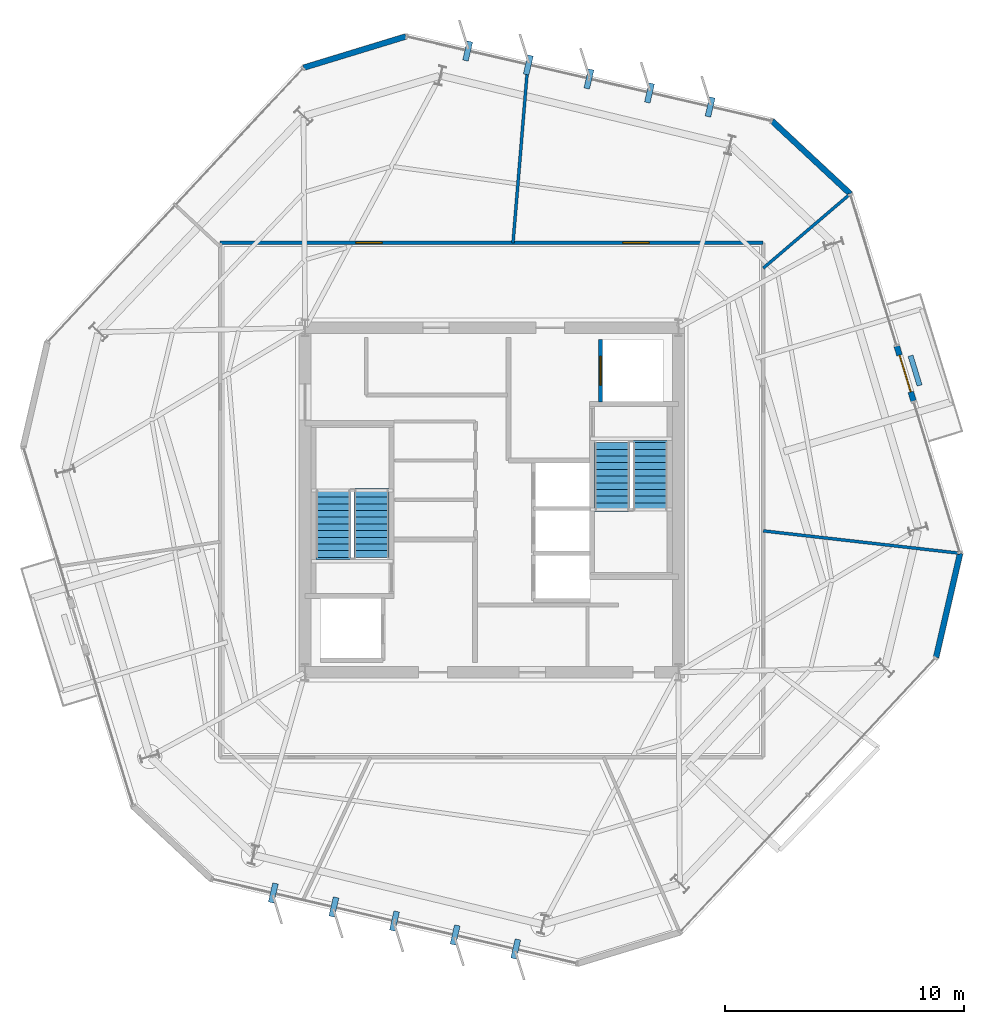
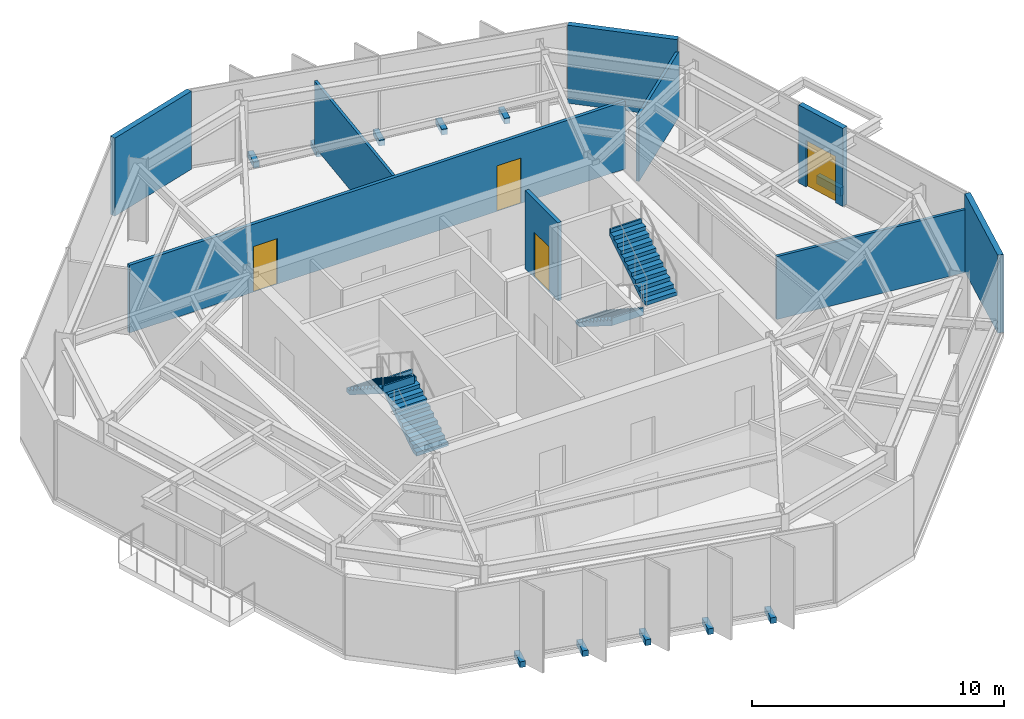
# One storey, part 8 of 11: 10 discrete accessories, 10 walls, 4 doors, 4 stair flights, 4 openings, 2 elements without a shape of their own.
"""IFC4 building model written with IfcOpenShell, lengths in metres."""

import ifcopenshell
import ifcopenshell.guid

model = None  # the IFC model being written
_history = None  # IfcOwnerHistory: only IFC2X3 demands one
_inside = {}  # id of a spatial element -> (the spatial element, [elements in it])
_under = {}  # id of a project, library or spatial element -> (it, [spatial elements below it])
_declared = {}  # id of a project -> (the project, [libraries it declares])
_typed = {}  # id of a type object -> (the type object, [elements of that type])
_made_of = {}  # id of a material, layer set ... -> (it, [elements and type objects made of it])


def new_model(schema):
    """Start an empty IFC model of exactly this schema.

    Asked for "IFC4X3", IfcOpenShell would pick the latest addendum, in which some entities
    have other attributes; the version numbers below select the first issue.
    IFC2X3 requires an IfcOwnerHistory on every rooted entity: one is made here for all.
    """
    global model, _history
    if schema == "IFC4X3":
        model = ifcopenshell.file(schema_version=(4, 3, 0, 0))
    else:
        model = ifcopenshell.file(schema=schema)
    _inside.clear()
    _under.clear()
    _declared.clear()
    _typed.clear()
    _made_of.clear()
    _history = None
    if model.schema == "IFC2X3":
        org = make("IfcOrganization", Name="unknown")
        user = make(
            "IfcPersonAndOrganization",
            ThePerson=make("IfcPerson", FamilyName="unknown"),
            TheOrganization=org,
        )
        app = make(
            "IfcApplication",
            ApplicationDeveloper=org,
            Version="unknown",
            ApplicationFullName="unknown",
            ApplicationIdentifier="unknown",
        )
        _history = make(
            "IfcOwnerHistory",
            OwningUser=user,
            OwningApplication=app,
            ChangeAction="ADDED",
            CreationDate=0,
        )
    return model


def make(cls, **values):
    """One entity of the class cls with the attributes given. An attribute that is None is left unset."""
    return model.create_entity(
        cls, **{name: value for name, value in values.items() if value is not None}
    )


def rooted(cls, **values):
    """An entity with a GlobalId (a new one), such as an element, a storey or a relation."""
    return make(cls, GlobalId=ifcopenshell.guid.new(), OwnerHistory=_history, **values)


def si_unit(unit_type, name, prefix=None):
    """IfcSIUnit, for example si_unit("LENGTHUNIT", "METRE", prefix="MILLI")."""
    return make("IfcSIUnit", UnitType=unit_type, Prefix=prefix, Name=name)


def assignment(units):
    """IfcUnitAssignment: the units of a project."""
    return None if units is None else make("IfcUnitAssignment", Units=units)


def point(xyz):
    """IfcCartesianPoint."""
    return None if xyz is None else make("IfcCartesianPoint", Coordinates=xyz)


def direction(xyz):
    """IfcDirection."""
    return None if xyz is None else make("IfcDirection", DirectionRatios=xyz)


def frame(location, z_axis=None, x_axis=None):
    """IfcAxis2Placement3D, a coordinate frame: its origin and axes. An axis left out is left unset."""
    return make(
        "IfcAxis2Placement3D",
        Location=point(location),
        Axis=direction(z_axis),
        RefDirection=direction(x_axis),
    )


def frame_2d(location, x_axis=None):
    """IfcAxis2Placement2D, a coordinate frame in the plane: its origin and x axis."""
    return make(
        "IfcAxis2Placement2D", Location=point(location), RefDirection=direction(x_axis)
    )


def origin():
    """The frame at (0, 0, 0) with its axes left unset."""
    return frame((0.0, 0.0, 0.0))


def origin_2d():
    """The frame at (0, 0) in the plane with its x axis left unset."""
    return frame_2d((0.0, 0.0))


def place(relative_to, where):
    """IfcLocalPlacement: puts the frame where relative to a parent placement (None: the world)."""
    return make(
        "IfcLocalPlacement", PlacementRelTo=relative_to, RelativePlacement=where
    )


def context(
    kind, dimensions, precision=None, world=None, true_north=None, identifier=None
):
    """IfcGeometricRepresentationContext, for example the 3D "Model" context."""
    return make(
        "IfcGeometricRepresentationContext",
        ContextIdentifier=identifier,
        ContextType=kind,
        CoordinateSpaceDimension=dimensions,
        Precision=precision,
        WorldCoordinateSystem=world,
        TrueNorth=true_north,
    )


def subcontext(parent, identifier, kind, view, scale=None):
    """IfcGeometricRepresentationSubContext, for example "Body" below "Model"."""
    return make(
        "IfcGeometricRepresentationSubContext",
        ContextIdentifier=identifier,
        ContextType=kind,
        ParentContext=parent,
        TargetScale=scale,
        TargetView=view,
    )


def project(units=None, contexts=None):
    """IfcProject with its units and contexts."""
    return rooted(
        "IfcProject",
        Name="project",
        RepresentationContexts=contexts,
        UnitsInContext=assignment(units),
    )


def spatial(cls, under=None, at=None, **own):
    """A site, building, storey or space (cls), placed at a placement, below another one or the project."""
    s = rooted(cls, ObjectPlacement=at, **own)
    if under is not None:
        _under.setdefault(under.id(), (under, []))[1].append(s)
    return s


def polyline(points):
    """IfcPolyline through the points."""
    return make("IfcPolyline", Points=[point(p) for p in points])


def profile(cls, at=None, kind="AREA", **sizes):
    """A parametric profile (cls). Its sizes go by their IFC names, for example OverallWidth=200.0."""
    return make(cls, ProfileType=kind, Position=at, **sizes)


def rectangle(**sizes):
    """IfcRectangleProfileDef."""
    return profile("IfcRectangleProfileDef", **sizes)


def outline(outer, holes=None, kind="AREA"):
    """IfcArbitraryClosedProfileDef: a profile drawn as a closed curve; with holes, ...WithVoids."""
    if holes is None:
        return make("IfcArbitraryClosedProfileDef", ProfileType=kind, OuterCurve=outer)
    return make(
        "IfcArbitraryProfileDefWithVoids",
        ProfileType=kind,
        OuterCurve=outer,
        InnerCurves=holes,
    )


def extrude(swept, where, along, depth):
    """IfcExtrudedAreaSolid: the profile swept, set in the frame where, extruded along a direction by depth."""
    return make(
        "IfcExtrudedAreaSolid",
        SweptArea=swept,
        Position=where,
        ExtrudedDirection=direction(along),
        Depth=depth,
    )


def shape(context_of_items, identifier, shape_type, items):
    """IfcShapeRepresentation: the items that make up one representation, for example the "Body"."""
    return make(
        "IfcShapeRepresentation",
        ContextOfItems=context_of_items,
        RepresentationIdentifier=identifier,
        RepresentationType=shape_type,
        Items=items,
    )


def material(Name=None, Category=None):
    """IfcMaterial."""
    return make("IfcMaterial", Name=Name, Category=Category)


def layer(
    of_material, thickness, ventilated=None, Name=None, Category=None, Priority=None
):
    """IfcMaterialLayer: one layer of a wall or slab, of a material (None: an air gap)."""
    return make(
        "IfcMaterialLayer",
        Material=of_material,
        LayerThickness=thickness,
        IsVentilated=ventilated,
        Name=Name,
        Category=Category,
        Priority=Priority,
    )


def layer_set(layers, Name=None):
    """IfcMaterialLayerSet."""
    return make("IfcMaterialLayerSet", MaterialLayers=layers, LayerSetName=Name)


def made_of(thing, what):
    """Note that an element or type object is made of a material, layer set ...; save() writes the relation."""
    if what is not None:
        _made_of.setdefault(what.id(), (what, []))[1].append(thing)
    return thing


def type_object(cls, material=None, **own):
    """A type object (cls), such as IfcWallType, which elements share."""
    return made_of(rooted(cls, **own), material)


def element(
    cls,
    number,
    at=None,
    inside=None,
    cuts=None,
    type_object=None,
    material=None,
    context=None,
    identifier="Body",
    shape_type=None,
    held_by="IfcProductDefinitionShape",
    body=None,
    shapes=None,
    **own,
):
    """One element of the class cls, such as IfcWall. Its Tag is "e" and its number.

    at: its placement. inside: the storey or other place that contains it. cuts: it is an
    opening in that element (IfcRelVoidsElement). A single representation is given by context,
    identifier, shape_type and body (its items); several are given by shapes. held_by: the class
    of the entity that holds the representations. save() writes the other relations.
    """
    e = rooted(cls, Tag="e%d" % number, ObjectPlacement=at, **own)
    if body is not None:
        shapes = [shape(context, identifier, shape_type, body)]
    if shapes is not None:
        e.Representation = make(held_by, Representations=shapes)
    if inside is not None:
        _inside.setdefault(inside.id(), (inside, []))[1].append(e)
    if cuts is not None:
        rooted(
            "IfcRelVoidsElement", RelatingBuildingElement=cuts, RelatedOpeningElement=e
        )
    if type_object is not None:
        _typed.setdefault(type_object.id(), (type_object, []))[1].append(e)
    return made_of(e, material)


def fill(opening, filler):
    """IfcRelFillsElement: the door or window that sits in an opening."""
    return rooted(
        "IfcRelFillsElement",
        RelatingOpeningElement=opening,
        RelatedBuildingElement=filler,
    )


def aggregate(whole, parts):
    """IfcRelAggregates: a whole, such as a stair, and the parts it consists of."""
    return rooted("IfcRelAggregates", RelatingObject=whole, RelatedObjects=parts)


def save(model, path):
    """Write the relations noted so far, then the file.

    IfcRelAggregates (storeys below a building ...), IfcRelContainedInSpatialStructure (elements
    in a storey), IfcRelDefinesByType, IfcRelAssociatesMaterial and IfcRelDeclares: one each for
    every whole, place, type object, material and project.
    """
    for whole, parts in _under.values():
        aggregate(whole, parts)
    for where, things in _inside.values():
        rooted(
            "IfcRelContainedInSpatialStructure",
            RelatedElements=things,
            RelatingStructure=where,
        )
    for kind, things in _typed.values():
        rooted("IfcRelDefinesByType", RelatedObjects=things, RelatingType=kind)
    for what, things in _made_of.values():
        rooted("IfcRelAssociatesMaterial", RelatedObjects=things, RelatingMaterial=what)
    for by, libraries in _declared.values():
        rooted("IfcRelDeclares", RelatingContext=by, RelatedDefinitions=libraries)
    model.write(path)


model = new_model("IFC4")

# Units and contexts
model_context = context("Model", 3, precision=1e-05, world=origin(), true_north=direction((0.0, 1.0)))
body_context = subcontext(model_context, "Body", "Model", "MODEL_VIEW")
ifc_project = project(units=[si_unit("LENGTHUNIT", "METRE"), si_unit("AREAUNIT", "SQUARE_METRE"), si_unit("VOLUMEUNIT", "CUBIC_METRE"), si_unit("PLANEANGLEUNIT", "RADIAN"), si_unit("MASSUNIT", "GRAM", prefix="KILO")], contexts=[model_context])

# Site, building, storey
site_placement = place(None, origin())
site = spatial("IfcSite", under=ifc_project, at=site_placement, CompositionType="ELEMENT")
building_placement = place(site_placement, origin())
building = spatial("IfcBuilding", under=site, at=building_placement, Name="Kranzbogen Civic Tower", CompositionType="ELEMENT")
storey_placement = place(building_placement, frame((0.0, 0.0, 212.800048828125)))
storey = spatial("IfcBuildingStorey", under=building, at=storey_placement, Name="L51", CompositionType="ELEMENT", Elevation=212.800048828125)

# Wall, openings, doors
ifc_material_1 = material(Name="Double-Stud Acoustic Gypsum Partition")
ifc_layer_1 = layer(ifc_material_1, 0.14990234375, Name="Double-Stud Acoustic Gypsum Partition")
ifc_layer_set_1 = layer_set([ifc_layer_1], Name="Double-Stud Acoustic Gypsum Partition")
wall_type_1 = type_object("IfcWallType", Name="Acoustic Corridor and Clinical Partition 150 mm", PredefinedType="PARTITIONING", material=ifc_layer_set_1)
wall_1_placement = place(storey_placement, frame((13.64990234375, 35.75, 0.0), z_axis=(0.0, 0.0, 1.0), x_axis=(1.0, 0.0, 0.0)))
wall_1 = element("IfcWall", 1, at=wall_1_placement, inside=storey, type_object=wall_type_1, Name="L51 corridor partition 01", PredefinedType="PARTITIONING", context=body_context, shape_type="SweptSolid", body=[
    extrude(rectangle(XDim=22.7001953125, YDim=0.14990234375, at=frame_2d((11.35009765625, 0.0))), origin(), (0.0, 0.0, 1.0), 3.280029296875),
])
opening_1_placement = place(wall_1_placement, frame((16.8291015625, 0.0, 0.0)))
opening_1 = element("IfcOpeningElement", 2, at=opening_1_placement, cuts=wall_1, Name="Opening D-COR60", PredefinedType="OPENING", context=body_context, shape_type="SweptSolid", body=[
    extrude(rectangle(XDim=1.10009765625, YDim=2.199951171875, at=frame_2d((0.550048828125, 1.10009765625))), frame((0.0, 0.0849609375, 0.0), z_axis=(0.0, -1.0, 0.0), x_axis=(1.0, 0.0, 0.0)), (0.0, 0.0, 1.0), 0.169921875),
])
opening_2_placement = place(wall_1_placement, frame((5.66796875, 0.0, 0.0)))
opening_2 = element("IfcOpeningElement", 3, at=opening_2_placement, cuts=wall_1, Name="Opening D-COR60", PredefinedType="OPENING", context=body_context, shape_type="SweptSolid", body=[
    extrude(rectangle(XDim=1.10009765625, YDim=2.199951171875, at=frame_2d((0.550048828125, 1.10009765625))), frame((0.0, 0.0849609375, 0.0), z_axis=(0.0, -1.0, 0.0), x_axis=(1.0, 0.0, 0.0)), (0.0, 0.0, 1.0), 0.169921875),
])
ifc_material_2 = material(Name="Oak Timber and Fire Core", Category="wood")
door_type_1 = type_object("IfcDoorType", Name="Corridor Acoustic Fire Door 1100x2200", OperationType="NOTDEFINED", PredefinedType="DOOR", material=ifc_material_2)
door_1_placement = place(opening_1_placement, origin())
door_1 = element("IfcDoor", 4, at=door_1_placement, inside=storey, type_object=door_type_1, Name="L51 Hospitality Catering Kitchen door", OperationType="SINGLE_SWING_RIGHT", OverallHeight=2.199951171875, OverallWidth=1.10009765625, PredefinedType="DOOR", context=body_context, shape_type="SweptSolid", body=[
    extrude(rectangle(XDim=1.10009765625, YDim=2.199951171875, at=frame_2d((0.550048828125, 1.10009765625))), frame((0.0, 0.02490234375, 0.0), z_axis=(0.0, -1.0, 0.0), x_axis=(1.0, 0.0, 0.0)), (0.0, 0.0, 1.0), 0.050048828125),
])
fill(opening_1, door_1)
door_2_placement = place(opening_2_placement, origin())
door_2 = element("IfcDoor", 5, at=door_2_placement, inside=storey, type_object=door_type_1, Name="L51 Refreshment Galley Pantry door", OperationType="SINGLE_SWING_LEFT", OverallHeight=2.199951171875, OverallWidth=1.10009765625, PredefinedType="DOOR", context=body_context, shape_type="SweptSolid", body=[
    extrude(rectangle(XDim=1.10009765625, YDim=2.199951171875, at=frame_2d((0.550048828125, 1.10009765625))), frame((0.0, 0.02490234375, 0.0), z_axis=(0.0, -1.0, 0.0), x_axis=(1.0, 0.0, 0.0)), (0.0, 0.0, 1.0), 0.050048828125),
])
fill(opening_2, door_2)

# Walls
ifc_material_3 = material(Name="Insulated Metal-Stud Gypsum Partition")
ifc_layer_2 = layer(ifc_material_3, 0.125, Name="Insulated Metal-Stud Gypsum Partition")
ifc_layer_set_2 = layer_set([ifc_layer_2], Name="Insulated Metal-Stud Gypsum Partition")
wall_type_2 = type_object("IfcWallType", Name="Acoustic Inter-Room Partition 125 mm", PredefinedType="PARTITIONING", material=ifc_layer_set_2)
wall_2_placement = place(storey_placement, frame((25.89111328125, 35.75, 0.0), z_axis=(0.0, 0.0, 1.0), x_axis=(0.082728483197, 0.996572123867, 0.0)))
element("IfcWall", 6, at=wall_2_placement, inside=storey, type_object=wall_type_2, Name="L51 radial room partition 01", PredefinedType="PARTITIONING", context=body_context, shape_type="SweptSolid", body=[
    extrude(rectangle(XDim=7.45751953125, YDim=0.125, at=frame_2d((3.728759765625, 0.0))), origin(), (0.0, 0.0, 1.0), 3.179931640625),
])
wall_3_placement = place(storey_placement, frame((36.35009765625, 23.708984375, 0.0), z_axis=(0.0, 0.0, 1.0), x_axis=(0.993589877184, -0.113044928931, 0.0)))
element("IfcWall", 7, at=wall_3_placement, inside=storey, type_object=wall_type_2, Name="L51 radial room partition 06", PredefinedType="PARTITIONING", context=body_context, shape_type="SweptSolid", body=[
    extrude(rectangle(XDim=8.262939453125, YDim=0.125, at=frame_2d((4.13134765625, 0.0))), origin(), (0.0, 0.0, 1.0), 3.050048828125),
])
wall_4_placement = place(storey_placement, frame((36.35009765625, 34.68994140625, 0.0), z_axis=(0.0, 0.0, 1.0), x_axis=(0.760539803365, 0.649291311737, 0.0)))
element("IfcWall", 8, at=wall_4_placement, inside=storey, type_object=wall_type_2, Name="L51 radial room partition 07", PredefinedType="PARTITIONING", context=body_context, shape_type="SweptSolid", body=[
    extrude(rectangle(XDim=4.76220703125, YDim=0.125, at=frame_2d((2.381103515625, 0.0))), origin(), (0.0, 0.0, 1.0), 3.179931640625),
])
ifc_material_4 = material(Name="Architectural Precast Terracotta Concrete C40/50", Category="masonry")
ifc_layer_3 = layer(ifc_material_4, 0.219970703125, Name="Architectural Precast Terracotta Concrete C40/50")
ifc_layer_set_3 = layer_set([ifc_layer_3], Name="Architectural Precast Terracotta Concrete C40/50")
wall_type_3 = type_object("IfcWallType", Name="Architectural Tree Planter Kerb Wall 220 mm", PredefinedType="USERDEFINED", material=ifc_layer_set_3)
wall_5_placement = place(storey_placement, frame((42.885986328125, 29.7880859375, 0.0), z_axis=(0.0, 0.0, 1.0), x_axis=(-0.292080232212, 0.956393819486, 0.0)))
element("IfcWall", 9, at=wall_5_placement, inside=storey, type_object=wall_type_3, Name="L51 landscaped tree balcony planter L51-TB2", ObjectType="PLANTER_WALL", PredefinedType="USERDEFINED", context=body_context, shape_type="SweptSolid", body=[
    extrude(rectangle(XDim=1.300537109375, YDim=0.219970703125, at=frame_2d((0.650390625, 0.0))), origin(), (0.0, 0.0, 1.0), 0.39990234375),
])

# Wall, opening, door
ifc_material_5 = material(Name="Gypsum Fireboard Shaftliner")
ifc_layer_4 = layer(ifc_material_5, 0.175048828125, Name="Gypsum Fireboard Shaftliner")
ifc_layer_set_4 = layer_set([ifc_layer_4], Name="Gypsum Fireboard Shaftliner")
wall_type_4 = type_object("IfcWallType", Name="Fire-Rated Lift and Service Shaft Wall 175 mm", PredefinedType="PARTITIONING", material=ifc_layer_set_4)
wall_6_placement = place(storey_placement, frame((29.550048828125, 29.10009765625, 0.0), z_axis=(0.0, 0.0, 1.0), x_axis=(0.0, 1.0, 0.0)))
wall_6 = element("IfcWall", 10, at=wall_6_placement, inside=storey, type_object=wall_type_4, Name="L51 lift FF-02 landing wall", PredefinedType="PARTITIONING", context=body_context, shape_type="SweptSolid", body=[
    extrude(rectangle(XDim=2.599853515625, YDim=0.175048828125, at=frame_2d((1.2998046875, 0.0))), origin(), (0.0, 0.0, 1.0), 3.780029296875),
])
opening_3_placement = place(wall_6_placement, frame((0.699951171875, 0.0, 0.0)))
opening_3 = element("IfcOpeningElement", 11, at=opening_3_placement, cuts=wall_6, Name="Opening LD-FF-02", PredefinedType="OPENING", context=body_context, shape_type="SweptSolid", body=[
    extrude(rectangle(XDim=1.199951171875, YDim=2.199951171875, at=frame_2d((0.60009765625, 1.10009765625))), frame((0.0, 0.09765625, 0.0), z_axis=(0.0, -1.0, 0.0), x_axis=(1.0, 0.0, 0.0)), (0.0, 0.0, 1.0), 0.195068359375),
])
ifc_material_6 = material(Name="Pale Anodised Aluminium", Category="aluminium")
door_type_2 = type_object("IfcDoorType", Name="Firefighting and Stretcher Lift Sliding Landing Door 1200x2200", OperationType="DOUBLE_DOOR_SLIDING", PredefinedType="DOOR", material=ifc_material_6)
door_3_placement = place(opening_3_placement, origin())
door_3 = element("IfcDoor", 12, at=door_3_placement, inside=storey, type_object=door_type_2, Name="L51 lift FF-02 sliding landing door", OperationType="DOUBLE_DOOR_SLIDING", OverallHeight=2.199951171875, OverallWidth=1.199951171875, PredefinedType="DOOR", context=body_context, shape_type="SweptSolid", body=[
    extrude(rectangle(XDim=1.199951171875, YDim=2.199951171875, at=frame_2d((0.60009765625, 1.10009765625))), frame((0.0, 0.02490234375, 0.0), z_axis=(0.0, -1.0, 0.0), x_axis=(1.0, 0.0, 0.0)), (0.0, 0.0, 1.0), 0.050048828125),
])
fill(opening_3, door_3)

# Walls
ifc_layer_5 = layer(ifc_material_6, 0.239990234375, Name="Pale Anodised Aluminium")
ifc_layer_set_5 = layer_set([ifc_layer_5], Name="Pale Anodised Aluminium")
wall_type_5 = type_object("IfcWallType", Name="Insulated Aluminium Facade Portal Wall 240 mm", PredefinedType="STANDARD", material=ifc_layer_set_5)
wall_7_placement = place(storey_placement, frame((21.412109375, 44.375, 0.0), z_axis=(0.0, 0.0, 1.0), x_axis=(-0.956319747301, -0.29232266577, 0.0)))
element("IfcWall", 13, at=wall_7_placement, inside=storey, type_object=wall_type_5, Name="L51 chamfered corner facade spandrel 1", PredefinedType="STANDARD", context=body_context, shape_type="SweptSolid", body=[
    extrude(rectangle(XDim=4.46728515625, YDim=0.239990234375, at=frame_2d((2.233642578125, 0.0))), origin(), (0.0, 0.0, 1.0), 3.780029296875),
])
wall_8_placement = place(storey_placement, frame((43.572998046875, 18.4189453125, 0.0), z_axis=(0.0, 0.0, 1.0), x_axis=(0.224883448427, 0.974385670371, 0.0)))
element("IfcWall", 14, at=wall_8_placement, inside=storey, type_object=wall_type_5, Name="L51 chamfered corner facade spandrel 5", PredefinedType="STANDARD", context=body_context, shape_type="SweptSolid", body=[
    extrude(rectangle(XDim=4.468505859375, YDim=0.239990234375, at=frame_2d((2.234375, 0.0))), origin(), (0.0, 0.0, 1.0), 3.780029296875),
])

# Wall, opening, door
wall_9_placement = place(storey_placement, frame((42.633056640625, 29.135986328125, 0.0), z_axis=(0.0, 0.0, 1.0), x_axis=(-0.292570005461, 0.95624410686, 0.0)))
wall_9 = element("IfcWall", 15, at=wall_9_placement, inside=storey, type_object=wall_type_5, Name="L51 exterior entrance portal wall 1", PredefinedType="STANDARD", context=body_context, shape_type="SweptSolid", body=[
    extrude(rectangle(XDim=2.39990234375, YDim=0.239990234375, at=frame_2d((1.199951171875, 0.0))), origin(), (0.0, 0.0, 1.0), 3.780029296875),
])
opening_4_placement = place(wall_9_placement, frame((0.39990234375, 0.0, 0.0)))
opening_4 = element("IfcOpeningElement", 16, at=opening_4_placement, cuts=wall_9, Name="Opening D-TER", PredefinedType="OPENING", context=body_context, shape_type="SweptSolid", body=[
    extrude(rectangle(XDim=1.60009765625, YDim=2.25, at=frame_2d((0.800048828125, 1.125))), frame((0.0, 0.1298828125, 0.0), z_axis=(0.0, -1.0, 0.0), x_axis=(1.0, 0.0, 0.0)), (0.0, 0.0, 1.0), 0.260009765625),
])
ifc_material_7 = material(Name="Anodised Bronze and Triple Glass", Category="glass")
door_type_3 = type_object("IfcDoorType", Name="Glazed Terrace and Balcony Double Door 1600x2250", OperationType="DOUBLE_DOOR_SINGLE_SWING", PredefinedType="DOOR", material=ifc_material_7)
door_4_placement = place(opening_4_placement, frame((1.60009765625, 0.0, 0.0), z_axis=(0.0, 0.0, 1.0), x_axis=(-1.0, 0.0, 0.0)))
door_4 = element("IfcDoor", 17, at=door_4_placement, inside=storey, type_object=door_type_3, Name="L51 tree balcony access door L51-TB2", OperationType="DOUBLE_DOOR_SINGLE_SWING", OverallHeight=2.25, OverallWidth=1.60009765625, PredefinedType="DOOR", context=body_context, shape_type="SweptSolid", body=[
    extrude(rectangle(XDim=1.60009765625, YDim=2.25, at=frame_2d((0.800048828125, 1.125))), frame((0.0, 0.02490234375, 0.0), z_axis=(0.0, -1.0, 0.0), x_axis=(1.0, 0.0, 0.0)), (0.0, 0.0, 1.0), 0.050048828125),
])
fill(opening_4, door_4)

# Wall
wall_10_placement = place(storey_placement, frame((39.986083984375, 37.7939453125, 0.0), z_axis=(0.0, 0.0, 1.0), x_axis=(-0.73139858415, 0.681950226265, 0.0)))
element("IfcWall", 18, at=wall_10_placement, inside=storey, type_object=wall_type_5, Name="L51 chamfered corner facade spandrel 6", PredefinedType="STANDARD", context=body_context, shape_type="SweptSolid", body=[
    extrude(rectangle(XDim=4.46826171875, YDim=0.239990234375, at=frame_2d((2.234130859375, 0.0))), origin(), (0.0, 0.0, 1.0), 3.780029296875),
])

# Stair, stair flights
ifc_material_8 = material(Name="Precast concrete C40/50", Category="concrete")
stair_type_1 = type_object("IfcStairType", Name="Tower Core Pressurized Dogleg Stair 1450", PredefinedType="HALF_TURN_STAIR", material=ifc_material_8)
stair_1_placement = place(storey_placement, origin())
stair_1 = element("IfcStair", 19, at=stair_1_placement, inside=storey, type_object=stair_type_1, Name="L51 Tower Core Pressurized Stair 1", PredefinedType="HALF_TURN_STAIR")
stair_flight_type = type_object("IfcStairFlightType", Name="Precast Concrete Stair Flight R180", PredefinedType="STRAIGHT", material=ifc_material_8)
stair_flight_1_placement = place(storey_placement, frame((19.97509765625, 22.60009765625, 0.0), z_axis=(0.0, 0.0, 1.0), x_axis=(0.0, 1.0, 0.0)))
stair_flight_1 = element("IfcStairFlight", 20, at=stair_flight_1_placement, type_object=stair_flight_type, Name="ST-T1 flight 1", NumberOfRisers=11, NumberOfTreads=10, PredefinedType="STRAIGHT", RiserHeight=0.181818182, TreadLength=0.28, context=body_context, shape_type="SweptSolid", body=[
    extrude(outline(polyline([(0.0, 0.0), (0.0, 0.181884765625), (0.280029296875, 0.181884765625), (0.280029296875, 0.363525390625), (0.56005859375, 0.363525390625), (0.56005859375, 0.54541015625), (0.840087890625, 0.54541015625), (0.840087890625, 0.727294921875), (1.1201171875, 0.727294921875), (1.1201171875, 0.9091796875), (1.39990234375, 0.9091796875), (1.39990234375, 1.0908203125), (1.679931640625, 1.0908203125), (1.679931640625, 1.272705078125), (1.9599609375, 1.272705078125), (1.9599609375, 1.45458984375), (2.239990234375, 1.45458984375), (2.239990234375, 1.636474609375), (2.52001953125, 1.636474609375), (2.52001953125, 1.818115234375), (2.800048828125, 1.818115234375), (2.800048828125, 2.0), (2.880126953125, 2.0), (2.880126953125, 1.639404296875), (0.275146484375, 0.0), (0.0, 0.0)])), frame((0.0, 0.72509765625, 0.0), z_axis=(0.0, -1.0, 0.0), x_axis=(1.0, 0.0, 0.0)), (0.0, 0.0, 1.0), 1.449951171875),
])
stair_flight_2_placement = place(storey_placement, frame((18.375, 25.39990234375, 2.0), z_axis=(0.0, 0.0, 1.0), x_axis=(0.0, -1.0, 0.0)))
stair_flight_2 = element("IfcStairFlight", 21, at=stair_flight_2_placement, type_object=stair_flight_type, Name="ST-T1 flight 2", NumberOfRisers=11, NumberOfTreads=10, PredefinedType="STRAIGHT", RiserHeight=0.181818182, TreadLength=0.28, context=body_context, shape_type="SweptSolid", body=[
    extrude(outline(polyline([(0.0, 0.0), (0.0, 0.181884765625), (0.280029296875, 0.181884765625), (0.280029296875, 0.363525390625), (0.56005859375, 0.363525390625), (0.56005859375, 0.54541015625), (0.840087890625, 0.54541015625), (0.840087890625, 0.727294921875), (1.1201171875, 0.727294921875), (1.1201171875, 0.9091796875), (1.39990234375, 0.9091796875), (1.39990234375, 1.0908203125), (1.679931640625, 1.0908203125), (1.679931640625, 1.272705078125), (1.9599609375, 1.272705078125), (1.9599609375, 1.45458984375), (2.239990234375, 1.45458984375), (2.239990234375, 1.636474609375), (2.52001953125, 1.636474609375), (2.52001953125, 1.818115234375), (2.800048828125, 1.818115234375), (2.800048828125, 2.0), (2.880126953125, 2.0), (2.880126953125, 1.639404296875), (0.275146484375, 0.0), (0.0, 0.0)])), frame((0.0, 0.72509765625, 0.0), z_axis=(0.0, -1.0, 0.0), x_axis=(1.0, 0.0, 0.0)), (0.0, 0.0, 1.0), 1.449951171875),
])
aggregate(stair_1, [stair_flight_1, stair_flight_2])

stair_type_2 = type_object("IfcStairType", Name="Tower Core Secondary Dogleg Stair 1450", PredefinedType="HALF_TURN_STAIR", material=ifc_material_8)
stair_2_placement = place(storey_placement, origin())
stair_2 = element("IfcStair", 22, at=stair_2_placement, inside=storey, type_object=stair_type_2, Name="L51 Tower Core Pressurized Stair 2", PredefinedType="HALF_TURN_STAIR")
stair_flight_3_placement = place(storey_placement, frame((30.02490234375, 27.39990234375, 0.0), z_axis=(0.0, 0.0, 1.0), x_axis=(0.0, -1.0, 0.0)))
stair_flight_3 = element("IfcStairFlight", 23, at=stair_flight_3_placement, type_object=stair_flight_type, Name="ST-T2 flight 1", NumberOfRisers=11, NumberOfTreads=10, PredefinedType="STRAIGHT", RiserHeight=0.181818182, TreadLength=0.28, context=body_context, shape_type="SweptSolid", body=[
    extrude(outline(polyline([(0.0, 0.0), (0.0, 0.181884765625), (0.280029296875, 0.181884765625), (0.280029296875, 0.363525390625), (0.56005859375, 0.363525390625), (0.56005859375, 0.54541015625), (0.840087890625, 0.54541015625), (0.840087890625, 0.727294921875), (1.1201171875, 0.727294921875), (1.1201171875, 0.9091796875), (1.39990234375, 0.9091796875), (1.39990234375, 1.0908203125), (1.679931640625, 1.0908203125), (1.679931640625, 1.272705078125), (1.9599609375, 1.272705078125), (1.9599609375, 1.45458984375), (2.239990234375, 1.45458984375), (2.239990234375, 1.636474609375), (2.52001953125, 1.636474609375), (2.52001953125, 1.818115234375), (2.800048828125, 1.818115234375), (2.800048828125, 2.0), (2.880126953125, 2.0), (2.880126953125, 1.639404296875), (0.275146484375, 0.0), (0.0, 0.0)])), frame((0.0, 0.72509765625, 0.0), z_axis=(0.0, -1.0, 0.0), x_axis=(1.0, 0.0, 0.0)), (0.0, 0.0, 1.0), 1.449951171875),
])
stair_flight_4_placement = place(storey_placement, frame((31.625, 24.60009765625, 2.0), z_axis=(0.0, 0.0, 1.0), x_axis=(0.0, 1.0, 0.0)))
stair_flight_4 = element("IfcStairFlight", 24, at=stair_flight_4_placement, type_object=stair_flight_type, Name="ST-T2 flight 2", NumberOfRisers=11, NumberOfTreads=10, PredefinedType="STRAIGHT", RiserHeight=0.181818182, TreadLength=0.28, context=body_context, shape_type="SweptSolid", body=[
    extrude(outline(polyline([(0.0, 0.0), (0.0, 0.181884765625), (0.280029296875, 0.181884765625), (0.280029296875, 0.363525390625), (0.56005859375, 0.363525390625), (0.56005859375, 0.54541015625), (0.840087890625, 0.54541015625), (0.840087890625, 0.727294921875), (1.1201171875, 0.727294921875), (1.1201171875, 0.9091796875), (1.39990234375, 0.9091796875), (1.39990234375, 1.0908203125), (1.679931640625, 1.0908203125), (1.679931640625, 1.272705078125), (1.9599609375, 1.272705078125), (1.9599609375, 1.45458984375), (2.239990234375, 1.45458984375), (2.239990234375, 1.636474609375), (2.52001953125, 1.636474609375), (2.52001953125, 1.818115234375), (2.800048828125, 1.818115234375), (2.800048828125, 2.0), (2.880126953125, 2.0), (2.880126953125, 1.639404296875), (0.275146484375, 0.0), (0.0, 0.0)])), frame((0.0, 0.72509765625, 0.0), z_axis=(0.0, -1.0, 0.0), x_axis=(1.0, 0.0, 0.0)), (0.0, 0.0, 1.0), 1.449951171875),
])
aggregate(stair_2, [stair_flight_3, stair_flight_4])

# Discrete accessories
ifc_material_9 = material(Name="Steel S355", Category="steel")
discrete_accessory_type = type_object("IfcDiscreteAccessoryType", Name="Structural Curtain-Wall Fin Support Bracket", PredefinedType="BRACKET", material=ifc_material_9)
for number, where, z_axis, x_axis, name in (
    (25, (34.12890625, 41.427001953125, -0.25), (0.0, 0.0, 1.0), (0.224951054344, 0.974370064785, 0.0), "L51 facade fin support bracket F1-1"),
    (26, (31.595947265625, 42.011962890625, -0.25), (0.0, 0.0, 1.0), (0.224951054344, 0.974370064785, 0.0), "L51 facade fin support bracket F1-2"),
    (27, (29.06298828125, 42.596923828125, -0.25), (0.0, 0.0, 1.0), (0.224951054344, 0.974370064785, 0.0), "L51 facade fin support bracket F1-3"),
    (28, (26.529052734375, 43.181884765625, -0.25), (0.0, 0.0, 1.0), (0.224951054344, 0.974370064785, 0.0), "L51 facade fin support bracket F1-4"),
    (29, (23.99609375, 43.76708984375, -0.25), (0.0, 0.0, 1.0), (0.224951054344, 0.974370064785, 0.0), "L51 facade fin support bracket F1-5"),
    (30, (15.87109375, 8.572998046875, -0.25), (0.0, 0.0, 1.0), (-0.224951054344, -0.974370064785, 0.0), "L51 facade fin support bracket F4-1"),
    (31, (18.404052734375, 7.988037109375, -0.25), (0.0, 0.0, 1.0), (-0.224951054344, -0.974370064785, 0.0), "L51 facade fin support bracket F4-2"),
    (32, (20.93701171875, 7.403076171875, -0.25), (0.0, 0.0, 1.0), (-0.224951054344, -0.974370064785, 0.0), "L51 facade fin support bracket F4-3"),
    (33, (23.470947265625, 6.818115234375, -0.25), (0.0, 0.0, 1.0), (-0.224951054344, -0.974370064785, 0.0), "L51 facade fin support bracket F4-4"),
    (34, (26.00390625, 6.23291015625, -0.25), (0.0, 0.0, 1.0), (-0.224951054344, -0.974370064785, 0.0), "L51 facade fin support bracket F4-5"),
):
    element("IfcDiscreteAccessory", number, at=place(storey_placement, frame(where, z_axis=z_axis, x_axis=x_axis)), inside=storey, type_object=discrete_accessory_type, Name=name, PredefinedType="BRACKET", context=body_context, shape_type="SweptSolid", body=[
        extrude(rectangle(XDim=0.820068359375, YDim=0.239990234375, at=origin_2d()), origin(), (0.0, 0.0, 1.0), 0.280029296875),
    ])

save(model, "model.ifc")
